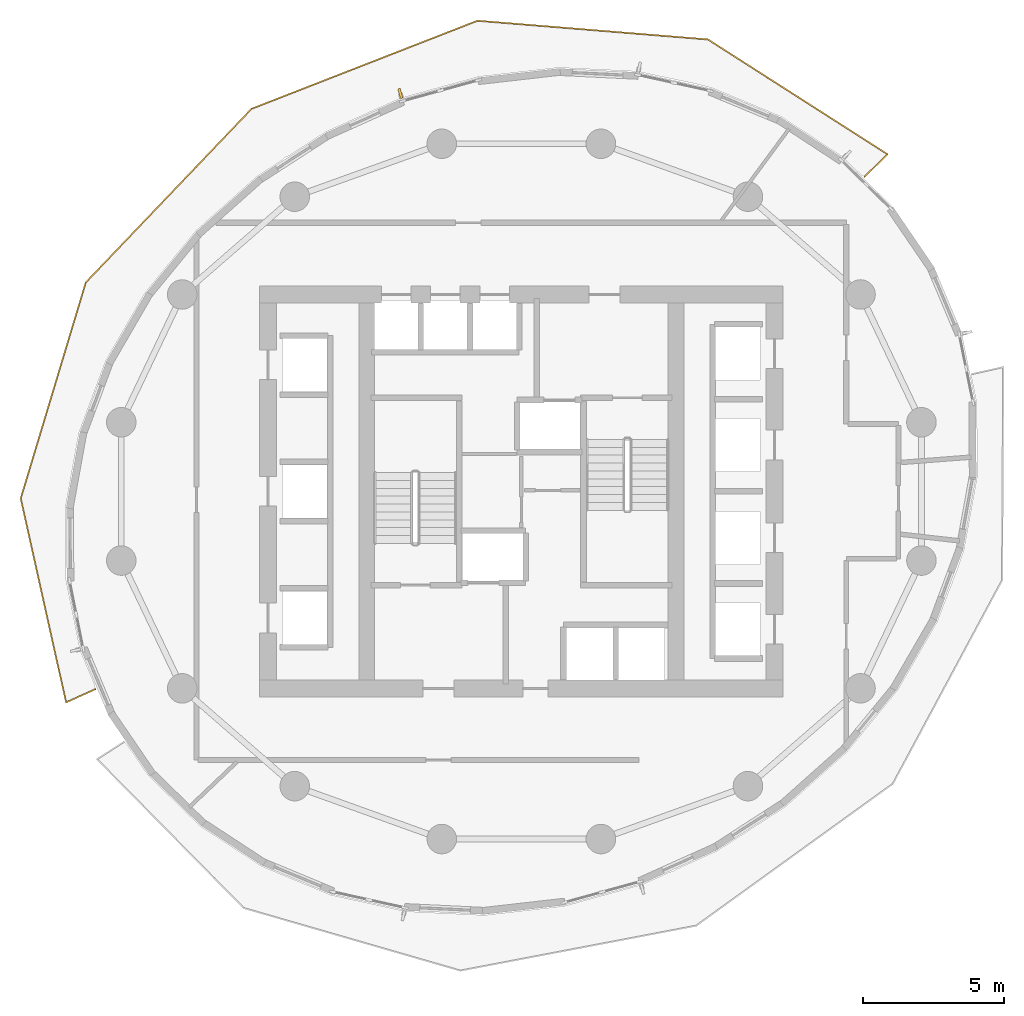
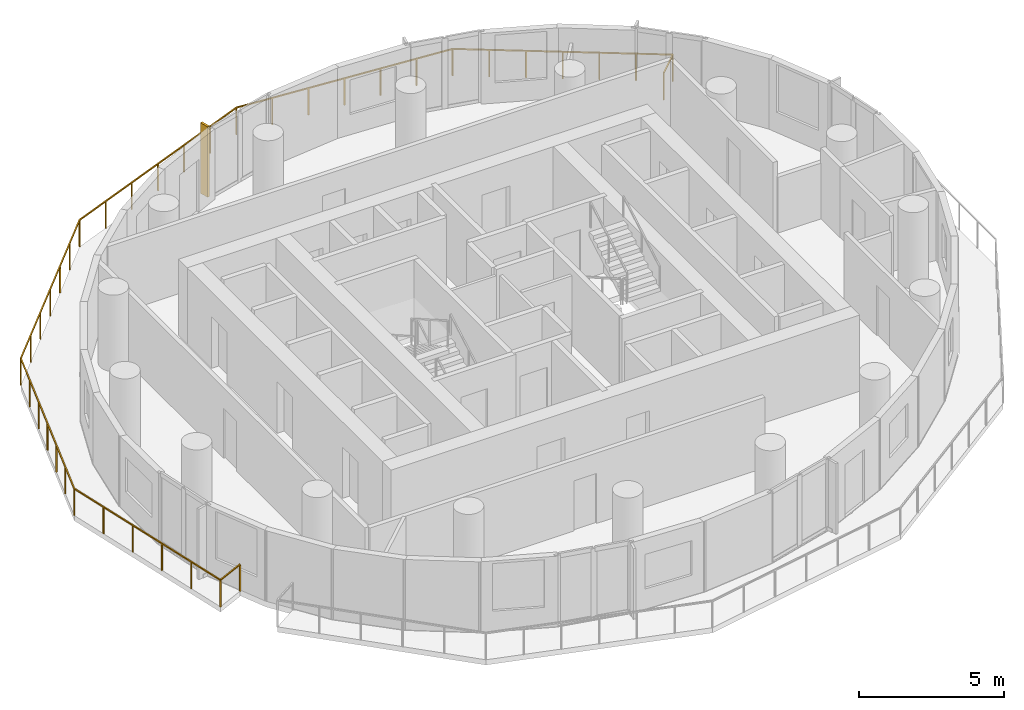
# One storey, part 10 of 11: 1 railing, 1 shading device.
"""IFC4 building model written with IfcOpenShell, lengths in metres."""

from ifc_helpers import new_model, si_unit, direction, frame, origin, origin_2d, place, context, subcontext, project, spatial, rectangle, extrude, material, layer, layer_set, type_object, element, save


model = new_model("IFC4")

# Units and contexts
model_context = context("Model", 3, precision=1e-05, world=origin(), true_north=direction((0.0, 1.0)))
body_context = subcontext(model_context, "Body", "Model", "MODEL_VIEW")
ifc_project = project(units=[si_unit("LENGTHUNIT", "METRE"), si_unit("AREAUNIT", "SQUARE_METRE"), si_unit("VOLUMEUNIT", "CUBIC_METRE"), si_unit("PLANEANGLEUNIT", "RADIAN"), si_unit("MASSUNIT", "GRAM", prefix="KILO")], contexts=[model_context])

# Site, building, storey
site_placement = place(None, origin())
site = spatial("IfcSite", under=ifc_project, at=site_placement, CompositionType="ELEMENT")
building_placement = place(site_placement, origin())
building = spatial("IfcBuilding", under=site, at=building_placement, Name="Veldorim Arch Residences", CompositionType="ELEMENT")
storey_placement = place(building_placement, frame((0.0, 0.0, 116.9599609375)))
storey = spatial("IfcBuildingStorey", under=building, at=storey_placement, Name="L34", CompositionType="ELEMENT", Elevation=116.9599609375)

# Railing
ifc_material_1 = material(Name="Aluminium", Category="aluminium")
railing_type = type_object("IfcRailingType", Name="Balcony & Terrace Laminated Glass Balustrade 1150", PredefinedType="BALUSTRADE", material=ifc_material_1)
railing_placement = place(storey_placement, frame((44.196044921875, 35.1806640625, 0.0)))
element("IfcRailing", 1, at=railing_placement, inside=storey, type_object=railing_type, Name="L34 crescent balcony safety balustrade A", PredefinedType="BALUSTRADE", context=body_context, shape_type="SweptSolid", body=[
    extrude(rectangle(XDim=0.048095703125, YDim=0.048095703125, at=origin_2d()), frame((0.0, 0.0, 1.1259765625), z_axis=(0.713131577695, 0.701030208261, 0.0), x_axis=(-0.701030208261, 0.713131577695, 0.0)), (0.0, 0.0, 1.0), 1.14990234375),
    extrude(rectangle(XDim=0.048095703125, YDim=0.048095703125, at=origin_2d()), frame((0.820068359375, 0.80615234375, 1.1259765625), z_axis=(-0.842498411457, 0.538698827446, 0.0), x_axis=(-0.538698827446, -0.842498411457, 0.0)), (0.0, 0.0, 1.0), 7.57568359375),
    extrude(rectangle(XDim=0.048095703125, YDim=0.048095703125, at=origin_2d()), frame((-5.5625, 4.88720703125, 1.1259765625), z_axis=(-0.996712669793, 0.081017614588, 0.0), x_axis=(-0.081017614588, -0.996712669793, 0.0)), (0.0, 0.0, 1.0), 8.220703125),
    extrude(rectangle(XDim=0.048095703125, YDim=0.048095703125, at=origin_2d()), frame((-13.756103515625, 5.55322265625, 1.1259765625), z_axis=(-0.931673243937, -0.363297352772, 0.0), x_axis=(0.363297352772, -0.931673243937, 0.0)), (0.0, 0.0, 1.0), 8.62255859375),
    extrude(rectangle(XDim=0.048095703125, YDim=0.048095703125, at=origin_2d()), frame((-21.78955078125, 2.420654296875, 1.1259765625), z_axis=(-0.690479148972, -0.723352296489, 0.0), x_axis=(0.723352296489, -0.690479148972, 0.0)), (0.0, 0.0, 1.0), 8.533447265625),
    extrude(rectangle(XDim=0.048095703125, YDim=0.048095703125, at=origin_2d()), frame((-27.681640625, -3.751953125, 1.1259765625), z_axis=(-0.288403391013, -0.957508999463, 0.0), x_axis=(0.957508999463, -0.288403391013, 0.0)), (0.0, 0.0, 1.0), 8.02001953125),
    extrude(rectangle(XDim=0.048095703125, YDim=0.048095703125, at=origin_2d()), frame((-29.99462890625, -11.43115234375, 1.1259765625), z_axis=(0.2172227332, -0.976122064181, 0.0), x_axis=(0.976122064181, 0.2172227332, 0.0)), (0.0, 0.0, 1.0), 7.42919921875),
    extrude(rectangle(XDim=0.048095703125, YDim=0.048095703125, at=origin_2d()), frame((-28.380859375, -18.682861328125, 1.1259765625), z_axis=(0.91096170607, 0.412490933324, 0.0), x_axis=(-0.412490933324, 0.91096170607, 0.0)), (0.0, 0.0, 1.0), 1.14990234375),
    extrude(rectangle(XDim=0.0419921875, YDim=0.0419921875, at=origin_2d()), origin(), (0.0, 0.0, 1.0), 1.101806640625),
    extrude(rectangle(XDim=0.0419921875, YDim=0.0419921875, at=origin_2d()), frame((0.820068359375, 0.80615234375, 0.0)), (0.0, 0.0, 1.0), 1.101806640625),
    extrude(rectangle(XDim=0.0419921875, YDim=0.0419921875, at=origin_2d()), frame((-0.24365234375, 1.486328125, 0.0)), (0.0, 0.0, 1.0), 1.101806640625),
    extrude(rectangle(XDim=0.0419921875, YDim=0.0419921875, at=origin_2d()), frame((-1.307373046875, 2.16650390625, 0.0)), (0.0, 0.0, 1.0), 1.101806640625),
    extrude(rectangle(XDim=0.0419921875, YDim=0.0419921875, at=origin_2d()), frame((-2.37109375, 2.8466796875, 0.0)), (0.0, 0.0, 1.0), 1.101806640625),
    extrude(rectangle(XDim=0.0419921875, YDim=0.0419921875, at=origin_2d()), frame((-3.43505859375, 3.52685546875, 0.0)), (0.0, 0.0, 1.0), 1.101806640625),
    extrude(rectangle(XDim=0.0419921875, YDim=0.0419921875, at=origin_2d()), frame((-4.498779296875, 4.20703125, 0.0)), (0.0, 0.0, 1.0), 1.101806640625),
    extrude(rectangle(XDim=0.0419921875, YDim=0.0419921875, at=origin_2d()), frame((-5.5625, 4.88720703125, 0.0)), (0.0, 0.0, 1.0), 1.101806640625),
    extrude(rectangle(XDim=0.0419921875, YDim=0.0419921875, at=origin_2d()), frame((-6.92822265625, 4.998291015625, 0.0)), (0.0, 0.0, 1.0), 1.101806640625),
    extrude(rectangle(XDim=0.0419921875, YDim=0.0419921875, at=origin_2d()), frame((-8.293701171875, 5.109130859375, 0.0)), (0.0, 0.0, 1.0), 1.101806640625),
    extrude(rectangle(XDim=0.0419921875, YDim=0.0419921875, at=origin_2d()), frame((-9.6591796875, 5.22021484375, 0.0)), (0.0, 0.0, 1.0), 1.101806640625),
    extrude(rectangle(XDim=0.0419921875, YDim=0.0419921875, at=origin_2d()), frame((-11.02490234375, 5.331298828125, 0.0)), (0.0, 0.0, 1.0), 1.101806640625),
    extrude(rectangle(XDim=0.0419921875, YDim=0.0419921875, at=origin_2d()), frame((-12.390625, 5.442138671875, 0.0)), (0.0, 0.0, 1.0), 1.101806640625),
    extrude(rectangle(XDim=0.0419921875, YDim=0.0419921875, at=origin_2d()), frame((-13.756103515625, 5.55322265625, 0.0)), (0.0, 0.0, 1.0), 1.101806640625),
    extrude(rectangle(XDim=0.0419921875, YDim=0.0419921875, at=origin_2d()), frame((-15.094970703125, 5.03125, 0.0)), (0.0, 0.0, 1.0), 1.101806640625),
    extrude(rectangle(XDim=0.0419921875, YDim=0.0419921875, at=origin_2d()), frame((-16.433837890625, 4.509033203125, 0.0)), (0.0, 0.0, 1.0), 1.101806640625),
    extrude(rectangle(XDim=0.0419921875, YDim=0.0419921875, at=origin_2d()), frame((-17.77294921875, 3.98681640625, 0.0)), (0.0, 0.0, 1.0), 1.101806640625),
    extrude(rectangle(XDim=0.0419921875, YDim=0.0419921875, at=origin_2d()), frame((-19.11181640625, 3.46484375, 0.0)), (0.0, 0.0, 1.0), 1.101806640625),
    extrude(rectangle(XDim=0.0419921875, YDim=0.0419921875, at=origin_2d()), frame((-20.45068359375, 2.94287109375, 0.0)), (0.0, 0.0, 1.0), 1.101806640625),
    extrude(rectangle(XDim=0.0419921875, YDim=0.0419921875, at=origin_2d()), frame((-21.78955078125, 2.420654296875, 0.0)), (0.0, 0.0, 1.0), 1.101806640625),
    extrude(rectangle(XDim=0.0419921875, YDim=0.0419921875, at=origin_2d()), frame((-22.771484375, 1.391845703125, 0.0)), (0.0, 0.0, 1.0), 1.101806640625),
    extrude(rectangle(XDim=0.0419921875, YDim=0.0419921875, at=origin_2d()), frame((-23.753662109375, 0.363037109375, 0.0)), (0.0, 0.0, 1.0), 1.101806640625),
    extrude(rectangle(XDim=0.0419921875, YDim=0.0419921875, at=origin_2d()), frame((-24.735595703125, -0.66552734375, 0.0)), (0.0, 0.0, 1.0), 1.101806640625),
    extrude(rectangle(XDim=0.0419921875, YDim=0.0419921875, at=origin_2d()), frame((-25.717529296875, -1.6943359375, 0.0)), (0.0, 0.0, 1.0), 1.101806640625),
    extrude(rectangle(XDim=0.0419921875, YDim=0.0419921875, at=origin_2d()), frame((-26.69970703125, -2.72314453125, 0.0)), (0.0, 0.0, 1.0), 1.101806640625),
    extrude(rectangle(XDim=0.0419921875, YDim=0.0419921875, at=origin_2d()), frame((-27.681640625, -3.751953125, 0.0)), (0.0, 0.0, 1.0), 1.101806640625),
    extrude(rectangle(XDim=0.0419921875, YDim=0.0419921875, at=origin_2d()), frame((-28.067138671875, -5.03173828125, 0.0)), (0.0, 0.0, 1.0), 1.101806640625),
    extrude(rectangle(XDim=0.0419921875, YDim=0.0419921875, at=origin_2d()), frame((-28.45263671875, -6.311767578125, 0.0)), (0.0, 0.0, 1.0), 1.101806640625),
    extrude(rectangle(XDim=0.0419921875, YDim=0.0419921875, at=origin_2d()), frame((-28.838134765625, -7.591552734375, 0.0)), (0.0, 0.0, 1.0), 1.101806640625),
    extrude(rectangle(XDim=0.0419921875, YDim=0.0419921875, at=origin_2d()), frame((-29.2236328125, -8.871337890625, 0.0)), (0.0, 0.0, 1.0), 1.101806640625),
    extrude(rectangle(XDim=0.0419921875, YDim=0.0419921875, at=origin_2d()), frame((-29.609130859375, -10.1513671875, 0.0)), (0.0, 0.0, 1.0), 1.101806640625),
    extrude(rectangle(XDim=0.0419921875, YDim=0.0419921875, at=origin_2d()), frame((-29.99462890625, -11.43115234375, 0.0)), (0.0, 0.0, 1.0), 1.101806640625),
    extrude(rectangle(XDim=0.0419921875, YDim=0.0419921875, at=origin_2d()), frame((-29.671875, -12.881591796875, 0.0)), (0.0, 0.0, 1.0), 1.101806640625),
    extrude(rectangle(XDim=0.0419921875, YDim=0.0419921875, at=origin_2d()), frame((-29.34912109375, -14.331787109375, 0.0)), (0.0, 0.0, 1.0), 1.101806640625),
    extrude(rectangle(XDim=0.0419921875, YDim=0.0419921875, at=origin_2d()), frame((-29.0263671875, -15.7822265625, 0.0)), (0.0, 0.0, 1.0), 1.101806640625),
    extrude(rectangle(XDim=0.0419921875, YDim=0.0419921875, at=origin_2d()), frame((-28.70361328125, -17.232421875, 0.0)), (0.0, 0.0, 1.0), 1.101806640625),
    extrude(rectangle(XDim=0.0419921875, YDim=0.0419921875, at=origin_2d()), frame((-28.380859375, -18.682861328125, 0.0)), (0.0, 0.0, 1.0), 1.101806640625),
    extrude(rectangle(XDim=0.0419921875, YDim=0.0419921875, at=origin_2d()), frame((-27.333251953125, -18.20849609375, 0.0)), (0.0, 0.0, 1.0), 1.101806640625),
])

# Shading device
ifc_material_2 = material(Name="Terracotta Ceramic", Category="masonry")
ifc_layer = layer(ifc_material_2, 0.090087890625, Name="Vertical Extruded Terracotta Baguette Sun-Shading Fin")
ifc_layer_set = layer_set([ifc_layer], Name="Terracotta Ceramic")
shading_device_type = type_object("IfcShadingDeviceType", Name="Vertical Extruded Terracotta Baguette Sun-Shading Fin", PredefinedType="USERDEFINED", material=ifc_layer_set)
shading_device_placement = place(storey_placement, frame((27.697509765625, 38.14453125, 0.0), z_axis=(0.0, 0.0, 1.0), x_axis=(0.963863295733, 0.266397348219, 0.0)))
element("IfcShadingDevice", 2, at=shading_device_placement, inside=storey, type_object=shading_device_type, Name="L34 vertical terracotta sun-shading fin 08", ObjectType="FIN", PredefinedType="USERDEFINED", context=body_context, shape_type="SweptSolid", body=[
    extrude(rectangle(XDim=0.090087890625, YDim=0.360107421875, at=origin_2d()), origin(), (0.0, 0.0, 1.0), 2.9599609375),
])

save(model, "model.ifc")
